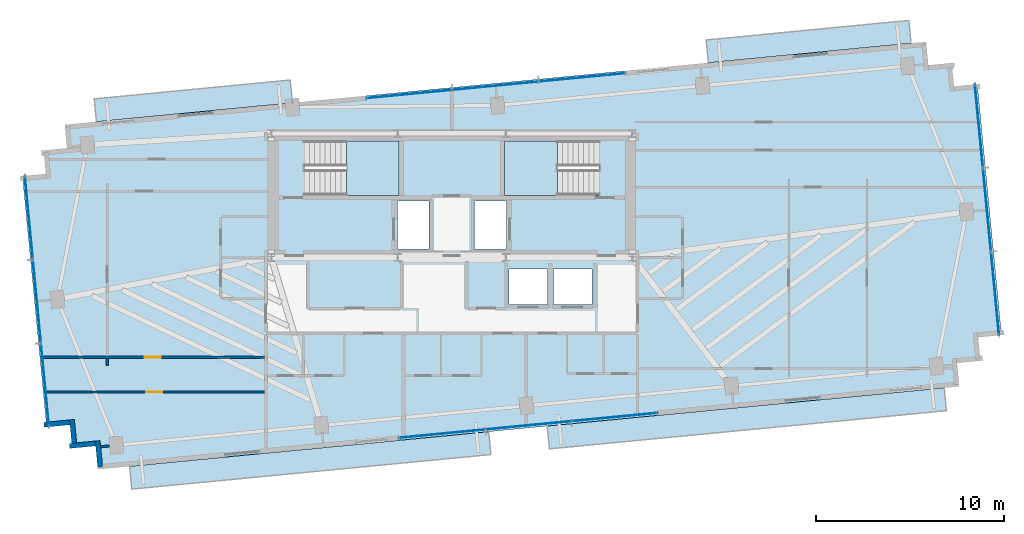
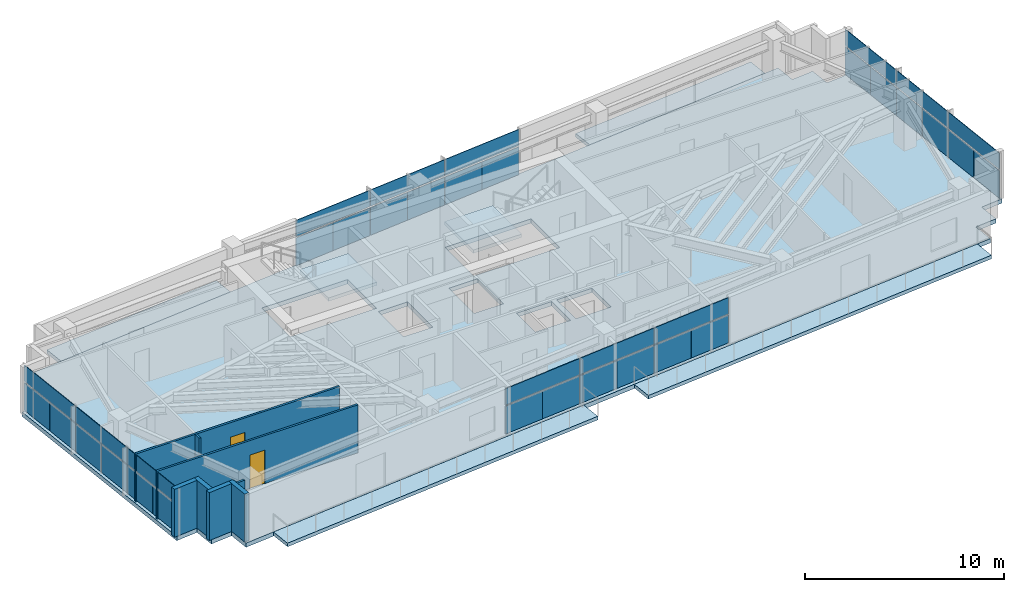
# One storey, part 12 of 18: 36 plates, 8 walls, 7 slabs, 2 doors, 2 openings, 6 elements without a shape of their own.
"""IFC4 building model written with IfcOpenShell, lengths in metres."""

from ifc_helpers import new_model, si_unit, direction, frame, frame_2d, origin, origin_2d, place, context, subcontext, project, spatial, polyline, rectangle, outline, extrude, source, transform, mapped, material, layer, layer_set, type_object, type_shapes, element, fill, aggregate, save


model = new_model("IFC4")

# Units and contexts
model_context = context("Model", 3, precision=1e-05, world=origin(), true_north=direction((0.0, 1.0)))
body_context = subcontext(model_context, "Body", "Model", "MODEL_VIEW")
ifc_project = project(units=[si_unit("LENGTHUNIT", "METRE"), si_unit("AREAUNIT", "SQUARE_METRE"), si_unit("VOLUMEUNIT", "CUBIC_METRE"), si_unit("PLANEANGLEUNIT", "RADIAN"), si_unit("MASSUNIT", "GRAM", prefix="KILO")], contexts=[model_context])

# Site, building, storey
site_placement = place(None, origin())
site = spatial("IfcSite", under=ifc_project, at=site_placement, CompositionType="ELEMENT")
building_placement = place(site_placement, origin())
building = spatial("IfcBuilding", under=site, at=building_placement, Name="Astriad Promenade Condominiums", CompositionType="ELEMENT")
storey_placement = place(building_placement, frame((0.0, 0.0, 201.800048828125)))
storey = spatial("IfcBuildingStorey", under=building, at=storey_placement, Name="L58", CompositionType="ELEMENT", Elevation=201.800048828125)

# Slab
ifc_material_1 = material(Name="Concrete C50/60", Category="concrete")
ifc_layer_1 = layer(ifc_material_1, 0.260009765625)
ifc_layer_set_1 = layer_set([ifc_layer_1], Name="Concrete C50/60")
slab_type_1 = type_object("IfcSlabType", Name="CONCRETE TOWER FLOOR SLAB 260", PredefinedType="FLOOR", material=ifc_layer_set_1)
slab_1_placement = place(storey_placement, frame((0.0, 0.0, -0.260009765625)))
element("IfcSlab", 1, at=slab_1_placement, inside=storey, type_object=slab_type_1, Name="Structural Floor Slab (L58)", PredefinedType="FLOOR", context=body_context, shape_type="SweptSolid", body=[
    extrude(outline(polyline([(17.187744140625, 6.137939453125), (62.975830078125, 10.546875), (62.856201171875, 11.791015625), (64.100341796875, 11.910888671875), (63.98046875, 13.155029296875), (65.224853515625, 13.27490234375), (63.9404296875, 26.61328125), (62.6962890625, 26.493408203125), (62.576416015625, 27.73779296875), (61.33203125, 27.617919921875), (61.21240234375, 28.862060546875), (15.424072265625, 24.453125), (15.5439453125, 23.208984375), (14.2998046875, 23.089111328125), (14.41943359375, 21.844970703125), (13.17529296875, 21.72509765625), (14.459716796875, 8.38671875), (15.703857421875, 8.506591796875), (15.823486328125, 7.26220703125), (17.06787109375, 7.382080078125), (17.187744140625, 6.137939453125)]), holes=[polyline([(28.175048828125, 20.699951171875), (33.175048828125, 20.699951171875), (33.175048828125, 23.60009765625), (28.175048828125, 23.60009765625), (28.175048828125, 20.699951171875)]), polyline([(38.824951171875, 20.699951171875), (43.824951171875, 20.699951171875), (43.824951171875, 23.60009765625), (38.824951171875, 23.60009765625), (38.824951171875, 20.699951171875)]), polyline([(33.10009765625, 17.85009765625), (34.800048828125, 17.85009765625), (34.800048828125, 20.39990234375), (33.10009765625, 20.39990234375), (33.10009765625, 17.85009765625)]), polyline([(37.199951171875, 17.85009765625), (38.89990234375, 17.85009765625), (38.89990234375, 20.39990234375), (37.199951171875, 20.39990234375), (37.199951171875, 17.85009765625)]), polyline([(39.050048828125, 14.89990234375), (41.10009765625, 14.89990234375), (41.10009765625, 16.800048828125), (39.050048828125, 16.800048828125), (39.050048828125, 14.89990234375)]), polyline([(41.39990234375, 14.89990234375), (43.449951171875, 14.89990234375), (43.449951171875, 16.800048828125), (41.39990234375, 16.800048828125), (41.39990234375, 14.89990234375)])]), origin(), (0.0, 0.0, 1.0), 0.260009765625),
])

# Stair, slab
stair_type = type_object("IfcStairType", Name="STR-CORE-1350", PredefinedType="HALF_TURN_STAIR", material=ifc_material_1)
stair_1_placement = place(storey_placement, origin())
stair_1 = element("IfcStair", 2, at=stair_1_placement, inside=storey, type_object=stair_type, Name="L58 Enclosed Core Exit Stair ST-1", PredefinedType="HALF_TURN_STAIR")
ifc_layer_2 = layer(ifc_material_1, 0.219970703125)
ifc_layer_set_2 = layer_set([ifc_layer_2], Name="Concrete C50/60")
slab_type_2 = type_object("IfcSlabType", Name="SLB-LANDING-220", PredefinedType="LANDING", material=ifc_layer_set_2)
slab_2_placement = place(storey_placement, frame((0.0, 0.0, 1.39990234375)))
slab_2 = element("IfcSlab", 3, at=slab_2_placement, type_object=slab_type_2, Name="ST-1 landing 1", PredefinedType="LANDING", context=body_context, shape_type="SweptSolid", body=[
    extrude(outline(polyline([(30.389892578125, 20.699951171875), (33.199951171875, 20.699951171875), (33.199951171875, 23.60009765625), (30.389892578125, 23.60009765625), (30.389892578125, 20.699951171875)])), origin(), (0.0, 0.0, 1.0), 0.199951171875),
])
aggregate(stair_1, [slab_2])

stair_2_placement = place(storey_placement, origin())
stair_2 = element("IfcStair", 4, at=stair_2_placement, inside=storey, type_object=stair_type, Name="L58 Enclosed Core Exit Stair ST-2", PredefinedType="HALF_TURN_STAIR")
slab_3_placement = place(storey_placement, frame((0.0, 0.0, 1.39990234375)))
slab_3 = element("IfcSlab", 5, at=slab_3_placement, type_object=slab_type_2, Name="ST-2 landing 1", PredefinedType="LANDING", context=body_context, shape_type="SweptSolid", body=[
    extrude(outline(polyline([(41.610107421875, 23.60009765625), (38.800048828125, 23.60009765625), (38.800048828125, 20.699951171875), (41.610107421875, 20.699951171875), (41.610107421875, 23.60009765625)])), origin(), (0.0, 0.0, 1.0), 0.199951171875),
])
aggregate(stair_2, [slab_3])

# Slabs
ifc_material_2 = material(Name="Precast concrete C50/60", Category="concrete")
ifc_layer_3 = layer(ifc_material_2, 0.219970703125)
ifc_layer_set_3 = layer_set([ifc_layer_3], Name="Precast concrete C50/60")
slab_type_3 = type_object("IfcSlabType", Name="WHITE PRECAST CONCRETE WAVE BALCONY SLAB 220", PredefinedType="FLOOR", material=ifc_layer_set_3)
slab_4_placement = place(storey_placement, frame((0.0, 0.0, -0.219970703125)))
element("IfcSlab", 6, at=slab_4_placement, inside=storey, type_object=slab_type_3, Name="White Precast Wave Balcony Slab BAL-L58-SW", PredefinedType="FLOOR", context=body_context, shape_type="SweptSolid", body=[
    extrude(outline(polyline([(38.08056640625, 6.924072265625), (18.98681640625, 5.08544921875), (18.8701171875, 6.2978515625), (37.9638671875, 8.136474609375), (38.08056640625, 6.924072265625)])), origin(), (0.0, 0.0, 1.0), 0.219970703125),
])
slab_5_placement = place(storey_placement, frame((0.0, 0.0, -0.219970703125)))
element("IfcSlab", 7, at=slab_5_placement, inside=storey, type_object=slab_type_3, Name="White Precast Wave Balcony Slab BAL-L58-SE", PredefinedType="FLOOR", context=body_context, shape_type="SweptSolid", body=[
    extrude(outline(polyline([(41.18798828125, 7.22314453125), (62.29345703125, 9.255615234375), (62.176513671875, 10.4697265625), (41.0712890625, 8.4375), (41.18798828125, 7.22314453125)])), origin(), (0.0, 0.0, 1.0), 0.219970703125),
])
slab_6_placement = place(storey_placement, frame((0.0, 0.0, -0.219970703125)))
element("IfcSlab", 8, at=slab_6_placement, inside=storey, type_object=slab_type_3, Name="White Precast Wave Balcony Slab BAL-L58-NW", PredefinedType="FLOOR", context=body_context, shape_type="SweptSolid", body=[
    extrude(outline(polyline([(17.106201171875, 24.615234375), (27.528076171875, 25.61865234375), (27.4111328125, 26.8330078125), (16.989501953125, 25.82958984375), (17.106201171875, 24.615234375)])), origin(), (0.0, 0.0, 1.0), 0.219970703125),
])
slab_7_placement = place(storey_placement, frame((0.0, 0.0, -0.219970703125)))
element("IfcSlab", 9, at=slab_7_placement, inside=storey, type_object=slab_type_3, Name="White Precast Wave Balcony Slab BAL-L58-NE", PredefinedType="FLOOR", context=body_context, shape_type="SweptSolid", body=[
    extrude(outline(polyline([(49.518798828125, 28.9619140625), (60.296142578125, 29.99951171875), (60.412841796875, 28.787109375), (49.6357421875, 27.74951171875), (49.518798828125, 28.9619140625)])), origin(), (0.0, 0.0, 1.0), 0.219970703125),
])

# Curtain wall, plates
ifc_material_3 = material(Name="Anodised aluminium Black Dark Glass Unitised", Category="aluminium")
curtain_wall_type = type_object("IfcCurtainWallType", Name="CW-B34-DARK", PredefinedType="USERDEFINED", material=ifc_material_3)
curtain_wall_1_placement = place(storey_placement, origin())
curtain_wall_1 = element("IfcCurtainWall", 10, at=curtain_wall_1_placement, inside=storey, type_object=curtain_wall_type, Name="CW-L58-W", ObjectType="UNITISED_CURTAIN_WALL", PredefinedType="USERDEFINED")
ifc_material_4 = material(Name="Dark Tinted Low-E Laminated Glass", Category="glass")
ifc_layer_4 = layer(ifc_material_4, 0.035888671875)
ifc_layer_set_4 = layer_set([ifc_layer_4], Name="Dark Tinted Low-E Laminated Glass")
plate_type = type_object("IfcPlateType", Name="PNL-DARK-GLASS-36", PredefinedType="CURTAIN_PANEL", material=ifc_layer_set_4)
shared_shape_1 = source(origin(), body_context, "Body", "SweptSolid", [
    extrude(rectangle(XDim=2.22119140625, YDim=0.035888671875, at=origin_2d()), origin(), (0.0, 0.0, 1.0), 1.702880859375),
])
plate_1_placement = place(storey_placement, frame((14.48193359375, 9.5107421875, 0.080078125), z_axis=(0.0, 0.0, 1.0), x_axis=(-0.09584575252, 0.995396198367, 0.0)))
plate_1 = element("IfcPlate", 11, at=plate_1_placement, type_object=plate_type, Name="CW-L58-W-PNL-00-VL", PredefinedType="CURTAIN_PANEL", context=body_context, shape_type="MappedRepresentation", body=[
    mapped(shared_shape_1, transform((0.0, 0.0, 0.0), scale=1.0)),
])
plate_2_placement = place(storey_placement, frame((14.267822265625, 11.73388671875, 0.080078125), z_axis=(0.0, 0.0, 1.0), x_axis=(-0.09584575252, 0.995396198367, 0.0)))
plate_2 = element("IfcPlate", 12, at=plate_2_placement, type_object=plate_type, Name="CW-L58-W-PNL-00-VR", PredefinedType="CURTAIN_PANEL", context=body_context, shape_type="MappedRepresentation", body=[
    mapped(shared_shape_1, transform((0.0, 0.0, 0.0), scale=1.0)),
])
plate_3_placement = place(storey_placement, frame((14.053955078125, 13.956787109375, 0.080078125), z_axis=(0.0, 0.0, 1.0), x_axis=(-0.09584575252, 0.995396198367, 0.0)))
plate_3 = element("IfcPlate", 13, at=plate_3_placement, type_object=plate_type, Name="CW-L58-W-PNL-01-VL", PredefinedType="CURTAIN_PANEL", context=body_context, shape_type="MappedRepresentation", body=[
    mapped(shared_shape_1, transform((0.0, 0.0, 0.0), scale=1.0)),
])
plate_4_placement = place(storey_placement, frame((13.839599609375, 16.179931640625, 0.080078125), z_axis=(0.0, 0.0, 1.0), x_axis=(-0.09584575252, 0.995396198367, 0.0)))
plate_4 = element("IfcPlate", 14, at=plate_4_placement, type_object=plate_type, Name="CW-L58-W-PNL-01-VR", PredefinedType="CURTAIN_PANEL", context=body_context, shape_type="MappedRepresentation", body=[
    mapped(shared_shape_1, transform((0.0, 0.0, 0.0), scale=1.0)),
])
plate_5_placement = place(storey_placement, frame((13.625732421875, 18.403076171875, 0.080078125), z_axis=(0.0, 0.0, 1.0), x_axis=(-0.09584575252, 0.995396198367, 0.0)))
plate_5 = element("IfcPlate", 15, at=plate_5_placement, type_object=plate_type, Name="CW-L58-W-PNL-02-VL", PredefinedType="CURTAIN_PANEL", context=body_context, shape_type="MappedRepresentation", body=[
    mapped(shared_shape_1, transform((0.0, 0.0, 0.0), scale=1.0)),
])
plate_6_placement = place(storey_placement, frame((13.41162109375, 20.626220703125, 0.080078125), z_axis=(0.0, 0.0, 1.0), x_axis=(-0.09584575252, 0.995396198367, 0.0)))
plate_6 = element("IfcPlate", 16, at=plate_6_placement, type_object=plate_type, Name="CW-L58-W-PNL-02-VR", PredefinedType="CURTAIN_PANEL", context=body_context, shape_type="MappedRepresentation", body=[
    mapped(shared_shape_1, transform((0.0, 0.0, 0.0), scale=1.0)),
])

curtain_wall_2_placement = place(storey_placement, origin())
curtain_wall_2 = element("IfcCurtainWall", 17, at=curtain_wall_2_placement, inside=storey, type_object=curtain_wall_type, Name="CW-L58-E", ObjectType="UNITISED_CURTAIN_WALL", PredefinedType="USERDEFINED")
plate_7_placement = place(storey_placement, frame((63.91796875, 25.4892578125, 0.080078125), z_axis=(0.0, 0.0, 1.0), x_axis=(0.09584575252, -0.995396198367, 0.0)))
plate_7 = element("IfcPlate", 18, at=plate_7_placement, type_object=plate_type, Name="CW-L58-E-PNL-00-VL", PredefinedType="CURTAIN_PANEL", context=body_context, shape_type="MappedRepresentation", body=[
    mapped(shared_shape_1, transform((0.0, 0.0, 0.0), scale=1.0)),
])
plate_8_placement = place(storey_placement, frame((64.132080078125, 23.26611328125, 0.080078125), z_axis=(0.0, 0.0, 1.0), x_axis=(0.09584575252, -0.995396198367, 0.0)))
plate_8 = element("IfcPlate", 19, at=plate_8_placement, type_object=plate_type, Name="CW-L58-E-PNL-00-VR", PredefinedType="CURTAIN_PANEL", context=body_context, shape_type="MappedRepresentation", body=[
    mapped(shared_shape_1, transform((0.0, 0.0, 0.0), scale=1.0)),
])
plate_9_placement = place(storey_placement, frame((64.34619140625, 21.043212890625, 0.080078125), z_axis=(0.0, 0.0, 1.0), x_axis=(0.09584575252, -0.995396198367, 0.0)))
plate_9 = element("IfcPlate", 20, at=plate_9_placement, type_object=plate_type, Name="CW-L58-E-PNL-01-VL", PredefinedType="CURTAIN_PANEL", context=body_context, shape_type="MappedRepresentation", body=[
    mapped(shared_shape_1, transform((0.0, 0.0, 0.0), scale=1.0)),
])
plate_10_placement = place(storey_placement, frame((64.560302734375, 18.820068359375, 0.080078125), z_axis=(0.0, 0.0, 1.0), x_axis=(0.09584575252, -0.995396198367, 0.0)))
plate_10 = element("IfcPlate", 21, at=plate_10_placement, type_object=plate_type, Name="CW-L58-E-PNL-01-VR", PredefinedType="CURTAIN_PANEL", context=body_context, shape_type="MappedRepresentation", body=[
    mapped(shared_shape_1, transform((0.0, 0.0, 0.0), scale=1.0)),
])
plate_11_placement = place(storey_placement, frame((64.7744140625, 16.596923828125, 0.080078125), z_axis=(0.0, 0.0, 1.0), x_axis=(0.09584575252, -0.995396198367, 0.0)))
plate_11 = element("IfcPlate", 22, at=plate_11_placement, type_object=plate_type, Name="CW-L58-E-PNL-02-VL", PredefinedType="CURTAIN_PANEL", context=body_context, shape_type="MappedRepresentation", body=[
    mapped(shared_shape_1, transform((0.0, 0.0, 0.0), scale=1.0)),
])
plate_12_placement = place(storey_placement, frame((64.98828125, 14.373779296875, 0.080078125), z_axis=(0.0, 0.0, 1.0), x_axis=(0.09584575252, -0.995396198367, 0.0)))
plate_12 = element("IfcPlate", 23, at=plate_12_placement, type_object=plate_type, Name="CW-L58-E-PNL-02-VR", PredefinedType="CURTAIN_PANEL", context=body_context, shape_type="MappedRepresentation", body=[
    mapped(shared_shape_1, transform((0.0, 0.0, 0.0), scale=1.0)),
])

# Plate
shared_shape_2 = source(origin(), body_context, "Body", "SweptSolid", [
    extrude(rectangle(XDim=4.45458984375, YDim=0.035888671875, at=origin_2d()), origin(), (0.0, 0.0, 1.0), 0.997314453125),
])
plate_13_placement = place(storey_placement, frame((14.375, 10.622314453125, 1.86279296875), z_axis=(0.0, 0.0, 1.0), x_axis=(-0.09584575252, 0.995396198367, 0.0)))
plate_13 = element("IfcPlate", 24, at=plate_13_placement, type_object=plate_type, Name="CW-L58-W-PNL-00-S", PredefinedType="CURTAIN_PANEL", context=body_context, shape_type="MappedRepresentation", body=[
    mapped(shared_shape_2, transform((0.0, 0.0, 0.0), scale=1.0)),
])

plate_14_placement = place(storey_placement, frame((13.94677734375, 15.068359375, 1.86279296875), z_axis=(0.0, 0.0, 1.0), x_axis=(-0.09584575252, 0.995396198367, 0.0)))
plate_14 = element("IfcPlate", 25, at=plate_14_placement, type_object=plate_type, Name="CW-L58-W-PNL-01-S", PredefinedType="CURTAIN_PANEL", context=body_context, shape_type="MappedRepresentation", body=[
    mapped(shared_shape_2, transform((0.0, 0.0, 0.0), scale=1.0)),
])

plate_15_placement = place(storey_placement, frame((13.518798828125, 19.514404296875, 1.86279296875), z_axis=(0.0, 0.0, 1.0), x_axis=(-0.09584575252, 0.995396198367, 0.0)))
plate_15 = element("IfcPlate", 26, at=plate_15_placement, type_object=plate_type, Name="CW-L58-W-PNL-02-S", PredefinedType="CURTAIN_PANEL", context=body_context, shape_type="MappedRepresentation", body=[
    mapped(shared_shape_2, transform((0.0, 0.0, 0.0), scale=1.0)),
])

aggregate(curtain_wall_1, [plate_1, plate_2, plate_13, plate_3, plate_4, plate_14, plate_5, plate_6, plate_15])

plate_16_placement = place(storey_placement, frame((64.02490234375, 24.377685546875, 1.86279296875), z_axis=(0.0, 0.0, 1.0), x_axis=(0.09584575252, -0.995396198367, 0.0)))
plate_16 = element("IfcPlate", 27, at=plate_16_placement, type_object=plate_type, Name="CW-L58-E-PNL-00-S", PredefinedType="CURTAIN_PANEL", context=body_context, shape_type="MappedRepresentation", body=[
    mapped(shared_shape_2, transform((0.0, 0.0, 0.0), scale=1.0)),
])

plate_17_placement = place(storey_placement, frame((64.453125, 19.931640625, 1.86279296875), z_axis=(0.0, 0.0, 1.0), x_axis=(0.09584575252, -0.995396198367, 0.0)))
plate_17 = element("IfcPlate", 28, at=plate_17_placement, type_object=plate_type, Name="CW-L58-E-PNL-01-S", PredefinedType="CURTAIN_PANEL", context=body_context, shape_type="MappedRepresentation", body=[
    mapped(shared_shape_2, transform((0.0, 0.0, 0.0), scale=1.0)),
])

plate_18_placement = place(storey_placement, frame((64.88134765625, 15.485595703125, 1.86279296875), z_axis=(0.0, 0.0, 1.0), x_axis=(0.09584575252, -0.995396198367, 0.0)))
plate_18 = element("IfcPlate", 29, at=plate_18_placement, type_object=plate_type, Name="CW-L58-E-PNL-02-S", PredefinedType="CURTAIN_PANEL", context=body_context, shape_type="MappedRepresentation", body=[
    mapped(shared_shape_2, transform((0.0, 0.0, 0.0), scale=1.0)),
])

aggregate(curtain_wall_2, [plate_7, plate_8, plate_16, plate_9, plate_10, plate_17, plate_11, plate_12, plate_18])

# Curtain wall, plates
curtain_wall_3_placement = place(storey_placement, origin())
curtain_wall_3 = element("IfcCurtainWall", 30, at=curtain_wall_3_placement, inside=storey, type_object=curtain_wall_type, Name="CW-L58-N", ObjectType="UNITISED_CURTAIN_WALL", PredefinedType="USERDEFINED")
shared_shape_3 = source(origin(), body_context, "Body", "SweptSolid", [
    extrude(rectangle(XDim=2.2880859375, YDim=0.035888671875, at=origin_2d()), origin(), (0.0, 0.0, 1.0), 1.702880859375),
])
plate_19_placement = place(storey_placement, frame((32.607177734375, 25.97705078125, 0.080078125), z_axis=(0.0, 0.0, 1.0), x_axis=(0.995396198367, 0.09584575252, 0.0)))
plate_19 = element("IfcPlate", 31, at=plate_19_placement, type_object=plate_type, Name="CW-L58-N-PNL-00-VL", PredefinedType="CURTAIN_PANEL", context=body_context, shape_type="MappedRepresentation", body=[
    mapped(shared_shape_3, transform((0.0, 0.0, 0.0), scale=1.0)),
])
plate_20_placement = place(storey_placement, frame((34.896484375, 26.197509765625, 0.080078125), z_axis=(0.0, 0.0, 1.0), x_axis=(0.995396198367, 0.09584575252, 0.0)))
plate_20 = element("IfcPlate", 32, at=plate_20_placement, type_object=plate_type, Name="CW-L58-N-PNL-00-VR", PredefinedType="CURTAIN_PANEL", context=body_context, shape_type="MappedRepresentation", body=[
    mapped(shared_shape_3, transform((0.0, 0.0, 0.0), scale=1.0)),
])
plate_21_placement = place(storey_placement, frame((37.18603515625, 26.41796875, 0.080078125), z_axis=(0.0, 0.0, 1.0), x_axis=(0.995396198367, 0.09584575252, 0.0)))
plate_21 = element("IfcPlate", 33, at=plate_21_placement, type_object=plate_type, Name="CW-L58-N-PNL-01-VL", PredefinedType="CURTAIN_PANEL", context=body_context, shape_type="MappedRepresentation", body=[
    mapped(shared_shape_3, transform((0.0, 0.0, 0.0), scale=1.0)),
])
plate_22_placement = place(storey_placement, frame((39.475341796875, 26.638427734375, 0.080078125), z_axis=(0.0, 0.0, 1.0), x_axis=(0.995396198367, 0.09584575252, 0.0)))
plate_22 = element("IfcPlate", 34, at=plate_22_placement, type_object=plate_type, Name="CW-L58-N-PNL-01-VR", PredefinedType="CURTAIN_PANEL", context=body_context, shape_type="MappedRepresentation", body=[
    mapped(shared_shape_3, transform((0.0, 0.0, 0.0), scale=1.0)),
])
plate_23_placement = place(storey_placement, frame((41.764892578125, 26.85888671875, 0.080078125), z_axis=(0.0, 0.0, 1.0), x_axis=(0.995396198367, 0.09584575252, 0.0)))
plate_23 = element("IfcPlate", 35, at=plate_23_placement, type_object=plate_type, Name="CW-L58-N-PNL-02-VL", PredefinedType="CURTAIN_PANEL", context=body_context, shape_type="MappedRepresentation", body=[
    mapped(shared_shape_3, transform((0.0, 0.0, 0.0), scale=1.0)),
])
plate_24_placement = place(storey_placement, frame((44.05419921875, 27.079345703125, 0.080078125), z_axis=(0.0, 0.0, 1.0), x_axis=(0.995396198367, 0.09584575252, 0.0)))
plate_24 = element("IfcPlate", 36, at=plate_24_placement, type_object=plate_type, Name="CW-L58-N-PNL-02-VR", PredefinedType="CURTAIN_PANEL", context=body_context, shape_type="MappedRepresentation", body=[
    mapped(shared_shape_3, transform((0.0, 0.0, 0.0), scale=1.0)),
])

curtain_wall_4_placement = place(storey_placement, origin())
curtain_wall_4 = element("IfcCurtainWall", 37, at=curtain_wall_4_placement, inside=storey, type_object=curtain_wall_type, Name="CW-L58-S", ObjectType="UNITISED_CURTAIN_WALL", PredefinedType="USERDEFINED")
plate_25_placement = place(storey_placement, frame((45.792724609375, 9.02294921875, 0.080078125), z_axis=(0.0, 0.0, 1.0), x_axis=(-0.995396198367, -0.09584575252, 0.0)))
plate_25 = element("IfcPlate", 38, at=plate_25_placement, type_object=plate_type, Name="CW-L58-S-PNL-00-VL", PredefinedType="CURTAIN_PANEL", context=body_context, shape_type="MappedRepresentation", body=[
    mapped(shared_shape_3, transform((0.0, 0.0, 0.0), scale=1.0)),
])
plate_26_placement = place(storey_placement, frame((43.50341796875, 8.802490234375, 0.080078125), z_axis=(0.0, 0.0, 1.0), x_axis=(-0.995396198367, -0.09584575252, 0.0)))
plate_26 = element("IfcPlate", 39, at=plate_26_placement, type_object=plate_type, Name="CW-L58-S-PNL-00-VR", PredefinedType="CURTAIN_PANEL", context=body_context, shape_type="MappedRepresentation", body=[
    mapped(shared_shape_3, transform((0.0, 0.0, 0.0), scale=1.0)),
])
plate_27_placement = place(storey_placement, frame((41.214111328125, 8.58203125, 0.080078125), z_axis=(0.0, 0.0, 1.0), x_axis=(-0.995396198367, -0.09584575252, 0.0)))
plate_27 = element("IfcPlate", 40, at=plate_27_placement, type_object=plate_type, Name="CW-L58-S-PNL-01-VL", PredefinedType="CURTAIN_PANEL", context=body_context, shape_type="MappedRepresentation", body=[
    mapped(shared_shape_3, transform((0.0, 0.0, 0.0), scale=1.0)),
])
plate_28_placement = place(storey_placement, frame((38.924560546875, 8.361572265625, 0.080078125), z_axis=(0.0, 0.0, 1.0), x_axis=(-0.995396198367, -0.09584575252, 0.0)))
plate_28 = element("IfcPlate", 41, at=plate_28_placement, type_object=plate_type, Name="CW-L58-S-PNL-01-VR", PredefinedType="CURTAIN_PANEL", context=body_context, shape_type="MappedRepresentation", body=[
    mapped(shared_shape_3, transform((0.0, 0.0, 0.0), scale=1.0)),
])
plate_29_placement = place(storey_placement, frame((36.63525390625, 8.14111328125, 0.080078125), z_axis=(0.0, 0.0, 1.0), x_axis=(-0.995396198367, -0.09584575252, 0.0)))
plate_29 = element("IfcPlate", 42, at=plate_29_placement, type_object=plate_type, Name="CW-L58-S-PNL-02-VL", PredefinedType="CURTAIN_PANEL", context=body_context, shape_type="MappedRepresentation", body=[
    mapped(shared_shape_3, transform((0.0, 0.0, 0.0), scale=1.0)),
])
plate_30_placement = place(storey_placement, frame((34.345703125, 7.920654296875, 0.080078125), z_axis=(0.0, 0.0, 1.0), x_axis=(-0.995396198367, -0.09584575252, 0.0)))
plate_30 = element("IfcPlate", 43, at=plate_30_placement, type_object=plate_type, Name="CW-L58-S-PNL-02-VR", PredefinedType="CURTAIN_PANEL", context=body_context, shape_type="MappedRepresentation", body=[
    mapped(shared_shape_3, transform((0.0, 0.0, 0.0), scale=1.0)),
])

# Plate
shared_shape_4 = source(origin(), body_context, "Body", "SweptSolid", [
    extrude(rectangle(XDim=4.587890625, YDim=0.035888671875, at=origin_2d()), origin(), (0.0, 0.0, 1.0), 0.997314453125),
])
type_shapes(plate_type, [shared_shape_1, shared_shape_2, shared_shape_3, shared_shape_4])
plate_31_placement = place(storey_placement, frame((33.751953125, 26.08740234375, 1.86279296875), z_axis=(0.0, 0.0, 1.0), x_axis=(0.995396198367, 0.09584575252, 0.0)))
plate_31 = element("IfcPlate", 44, at=plate_31_placement, type_object=plate_type, Name="CW-L58-N-PNL-00-S", PredefinedType="CURTAIN_PANEL", context=body_context, shape_type="MappedRepresentation", body=[
    mapped(shared_shape_4, transform((0.0, 0.0, 0.0), scale=1.0)),
])

plate_32_placement = place(storey_placement, frame((38.330810546875, 26.5283203125, 1.86279296875), z_axis=(0.0, 0.0, 1.0), x_axis=(0.995396198367, 0.09584575252, 0.0)))
plate_32 = element("IfcPlate", 45, at=plate_32_placement, type_object=plate_type, Name="CW-L58-N-PNL-01-S", PredefinedType="CURTAIN_PANEL", context=body_context, shape_type="MappedRepresentation", body=[
    mapped(shared_shape_4, transform((0.0, 0.0, 0.0), scale=1.0)),
])

plate_33_placement = place(storey_placement, frame((42.909423828125, 26.968994140625, 1.86279296875), z_axis=(0.0, 0.0, 1.0), x_axis=(0.995396198367, 0.09584575252, 0.0)))
plate_33 = element("IfcPlate", 46, at=plate_33_placement, type_object=plate_type, Name="CW-L58-N-PNL-02-S", PredefinedType="CURTAIN_PANEL", context=body_context, shape_type="MappedRepresentation", body=[
    mapped(shared_shape_4, transform((0.0, 0.0, 0.0), scale=1.0)),
])

aggregate(curtain_wall_3, [plate_19, plate_20, plate_31, plate_21, plate_22, plate_32, plate_23, plate_24, plate_33])

plate_34_placement = place(storey_placement, frame((44.648193359375, 8.91259765625, 1.86279296875), z_axis=(0.0, 0.0, 1.0), x_axis=(-0.995396198367, -0.09584575252, 0.0)))
plate_34 = element("IfcPlate", 47, at=plate_34_placement, type_object=plate_type, Name="CW-L58-S-PNL-00-S", PredefinedType="CURTAIN_PANEL", context=body_context, shape_type="MappedRepresentation", body=[
    mapped(shared_shape_4, transform((0.0, 0.0, 0.0), scale=1.0)),
])

plate_35_placement = place(storey_placement, frame((40.0693359375, 8.4716796875, 1.86279296875), z_axis=(0.0, 0.0, 1.0), x_axis=(-0.995396198367, -0.09584575252, 0.0)))
plate_35 = element("IfcPlate", 48, at=plate_35_placement, type_object=plate_type, Name="CW-L58-S-PNL-01-S", PredefinedType="CURTAIN_PANEL", context=body_context, shape_type="MappedRepresentation", body=[
    mapped(shared_shape_4, transform((0.0, 0.0, 0.0), scale=1.0)),
])

plate_36_placement = place(storey_placement, frame((35.490478515625, 8.031005859375, 1.86279296875), z_axis=(0.0, 0.0, 1.0), x_axis=(-0.995396198367, -0.09584575252, 0.0)))
plate_36 = element("IfcPlate", 49, at=plate_36_placement, type_object=plate_type, Name="CW-L58-S-PNL-02-S", PredefinedType="CURTAIN_PANEL", context=body_context, shape_type="MappedRepresentation", body=[
    mapped(shared_shape_4, transform((0.0, 0.0, 0.0), scale=1.0)),
])

aggregate(curtain_wall_4, [plate_25, plate_26, plate_34, plate_27, plate_28, plate_35, plate_29, plate_30, plate_36])

# Walls
ifc_layer_5 = layer(ifc_material_2, 0.260009765625)
ifc_layer_set_5 = layer_set([ifc_layer_5], Name="Precast concrete C50/60")
wall_type_1 = type_object("IfcWallType", Name="WALL-EXT-TWR-260", PredefinedType="STANDARD", material=ifc_layer_set_5)
wall_1_placement = place(storey_placement, frame((17.0703125, 7.512939453125, 0.0), z_axis=(0.0, 0.0, 1.0), x_axis=(-0.995391056452, -0.09589913835, 0.0)))
element("IfcWall", 50, at=wall_1_placement, inside=storey, type_object=wall_type_1, Name="W-SER-L58-00", PredefinedType="STANDARD", context=body_context, shape_type="SweptSolid", body=[
    extrude(rectangle(XDim=1.39501953125, YDim=0.260009765625, at=frame_2d((0.697509765625, 0.0))), origin(), (0.0, 0.0, 1.0), 2.93994140625),
])
wall_2_placement = place(storey_placement, frame((15.94189453125, 7.389404296875, 0.0), z_axis=(0.0, 0.0, 1.0), x_axis=(-0.095742423056, 0.99540614245, 0.0)))
element("IfcWall", 51, at=wall_2_placement, inside=storey, type_object=wall_type_1, Name="W-SER-L58-01", PredefinedType="STANDARD", context=body_context, shape_type="SweptSolid", body=[
    extrude(rectangle(XDim=1.394775390625, YDim=0.260009765625, at=frame_2d((0.697265625, 0.0))), origin(), (0.0, 0.0, 1.0), 2.93994140625),
])
wall_3_placement = place(storey_placement, frame((15.706298828125, 8.637451171875, 0.0), z_axis=(0.0, 0.0, 1.0), x_axis=(-0.995391056452, -0.09589913835, 0.0)))
element("IfcWall", 52, at=wall_3_placement, inside=storey, type_object=wall_type_1, Name="W-SER-L58-02", PredefinedType="STANDARD", context=body_context, shape_type="SweptSolid", body=[
    extrude(rectangle(XDim=1.39501953125, YDim=0.260009765625, at=frame_2d((0.697509765625, 0.0))), origin(), (0.0, 0.0, 1.0), 2.93994140625),
])
wall_4_placement = place(storey_placement, frame((17.30615234375, 6.264892578125, 0.0), z_axis=(0.0, 0.0, 1.0), x_axis=(-0.095915846097, 0.995389446633, 0.0)))
element("IfcWall", 53, at=wall_4_placement, inside=storey, type_object=wall_type_1, Name="W-SER-L58-19", PredefinedType="STANDARD", context=body_context, shape_type="SweptSolid", body=[
    extrude(rectangle(XDim=1.394775390625, YDim=0.260009765625, at=frame_2d((0.697265625, 0.0))), origin(), (0.0, 0.0, 1.0), 2.93994140625),
])

# Wall, opening, door
ifc_material_5 = material(Name="Acoustic Metal-Stud Gypsum Partition")
ifc_layer_6 = layer(ifc_material_5, 0.1201171875)
ifc_layer_set_6 = layer_set([ifc_layer_6], Name="Acoustic Metal-Stud Gypsum Partition")
wall_type_2 = type_object("IfcWallType", Name="WALL-PART-120", PredefinedType="PARTITIONING", material=ifc_layer_set_6)
wall_5_placement = place(storey_placement, frame((14.360595703125, 10.25, 0.0), z_axis=(0.0, 0.0, 1.0), x_axis=(1.0, 0.0, 0.0)))
wall_5 = element("IfcWall", 54, at=wall_5_placement, inside=storey, type_object=wall_type_2, Name="PT-L58-W1-WDS1", PredefinedType="PARTITIONING", context=body_context, shape_type="SweptSolid", body=[
    extrude(rectangle(XDim=11.677490234375, YDim=0.1201171875, at=frame_2d((5.8388671875, 0.0))), origin(), (0.0, 0.0, 1.0), 2.93994140625),
])
opening_1_placement = place(wall_5_placement, frame((5.407470703125, 0.0, 0.0)))
opening_1 = element("IfcOpeningElement", 55, at=opening_1_placement, cuts=wall_5, Name="Opening D-INT-085", PredefinedType="OPENING", context=body_context, shape_type="SweptSolid", body=[
    extrude(rectangle(XDim=0.85009765625, YDim=2.050048828125, at=frame_2d((0.425048828125, 1.02490234375))), frame((0.0, 0.070068359375, 0.0), z_axis=(0.0, -1.0, 0.0), x_axis=(1.0, 0.0, 0.0)), (0.0, 0.0, 1.0), 0.14013671875),
])
ifc_material_6 = material(Name="Painted Solid-Core Timber Room Door", Category="wood")
door_type = type_object("IfcDoorType", Name="D-INT-085", OperationType="NOTDEFINED", PredefinedType="DOOR", material=ifc_material_6)
shared_shape_5 = source(origin(), body_context, "Body", "SweptSolid", [
    extrude(rectangle(XDim=0.85009765625, YDim=2.050048828125, at=frame_2d((0.425048828125, 1.02490234375))), frame((0.0, 0.02490234375, 0.0), z_axis=(0.0, -1.0, 0.0), x_axis=(1.0, 0.0, 0.0)), (0.0, 0.0, 1.0), 0.050048828125),
])
type_shapes(door_type, [shared_shape_5])
door_1_placement = place(opening_1_placement, origin())
door_1 = element("IfcDoor", 56, at=door_1_placement, inside=storey, type_object=door_type, Name="D-WDS1-L58-W1", OperationType="SINGLE_SWING_RIGHT", OverallHeight=2.050048828125, OverallWidth=0.85009765625, PredefinedType="DOOR", context=body_context, shape_type="MappedRepresentation", body=[
    mapped(shared_shape_5, transform((0.0, 0.0, 0.0), scale=1.0)),
])
fill(opening_1, door_1)

wall_6_placement = place(storey_placement, frame((14.1826171875, 12.097900390625, 0.0), z_axis=(0.0, 0.0, 1.0), x_axis=(1.0, 0.0, 0.0)))
wall_6 = element("IfcWall", 57, at=wall_6_placement, inside=storey, type_object=wall_type_2, Name="PT-L58-W1-WDS3", PredefinedType="PARTITIONING", context=body_context, shape_type="SweptSolid", body=[
    extrude(rectangle(XDim=11.85546875, YDim=0.1201171875, at=frame_2d((5.927734375, 0.0))), origin(), (0.0, 0.0, 1.0), 2.93994140625),
])
opening_2_placement = place(wall_6_placement, frame((5.496337890625, 0.0, 0.0)))
opening_2 = element("IfcOpeningElement", 58, at=opening_2_placement, cuts=wall_6, Name="Opening D-INT-085", PredefinedType="OPENING", context=body_context, shape_type="SweptSolid", body=[
    extrude(rectangle(XDim=0.85009765625, YDim=2.050048828125, at=frame_2d((0.425048828125, 1.02490234375))), frame((0.0, 0.070068359375, 0.0), z_axis=(0.0, -1.0, 0.0), x_axis=(1.0, 0.0, 0.0)), (0.0, 0.0, 1.0), 0.14013671875),
])
door_2_placement = place(opening_2_placement, origin())
door_2 = element("IfcDoor", 59, at=door_2_placement, inside=storey, type_object=door_type, Name="D-WDS3-L58-W1", OperationType="SINGLE_SWING_RIGHT", OverallHeight=2.050048828125, OverallWidth=0.85009765625, PredefinedType="DOOR", context=body_context, shape_type="MappedRepresentation", body=[
    mapped(shared_shape_5, transform((0.0, 0.0, 0.0), scale=1.0)),
])
fill(opening_2, door_2)

# Walls
wall_7_placement = place(storey_placement, frame((17.68798828125, 11.657958984375, 0.0), z_axis=(0.0, 0.0, 1.0), x_axis=(0.0, 1.0, 0.0)))
element("IfcWall", 60, at=wall_7_placement, inside=storey, type_object=wall_type_2, Name="PT-L58-W1-WDV5", PredefinedType="PARTITIONING", context=body_context, shape_type="SweptSolid", body=[
    extrude(rectangle(XDim=0.3779296875, YDim=0.1201171875, at=frame_2d((0.18896484375, 0.0))), origin(), (0.0, 0.0, 1.0), 2.93994140625),
])
wall_8_placement = place(storey_placement, frame((17.791259765625, 7.381591796875, 0.0), z_axis=(0.0, 0.0, 1.0), x_axis=(-0.995384576284, -0.09596637586, 0.0)))
element("IfcWall", 61, at=wall_8_placement, inside=storey, type_object=wall_type_2, Name="PT-PIL-L58-PC01-8", PredefinedType="PARTITIONING", context=body_context, shape_type="SweptSolid", body=[
    extrude(rectangle(XDim=0.4580078125, YDim=0.1201171875, at=frame_2d((0.22900390625, 0.0))), origin(), (0.0, 0.0, 1.0), 2.93994140625),
])

save(model, "model.ifc")
